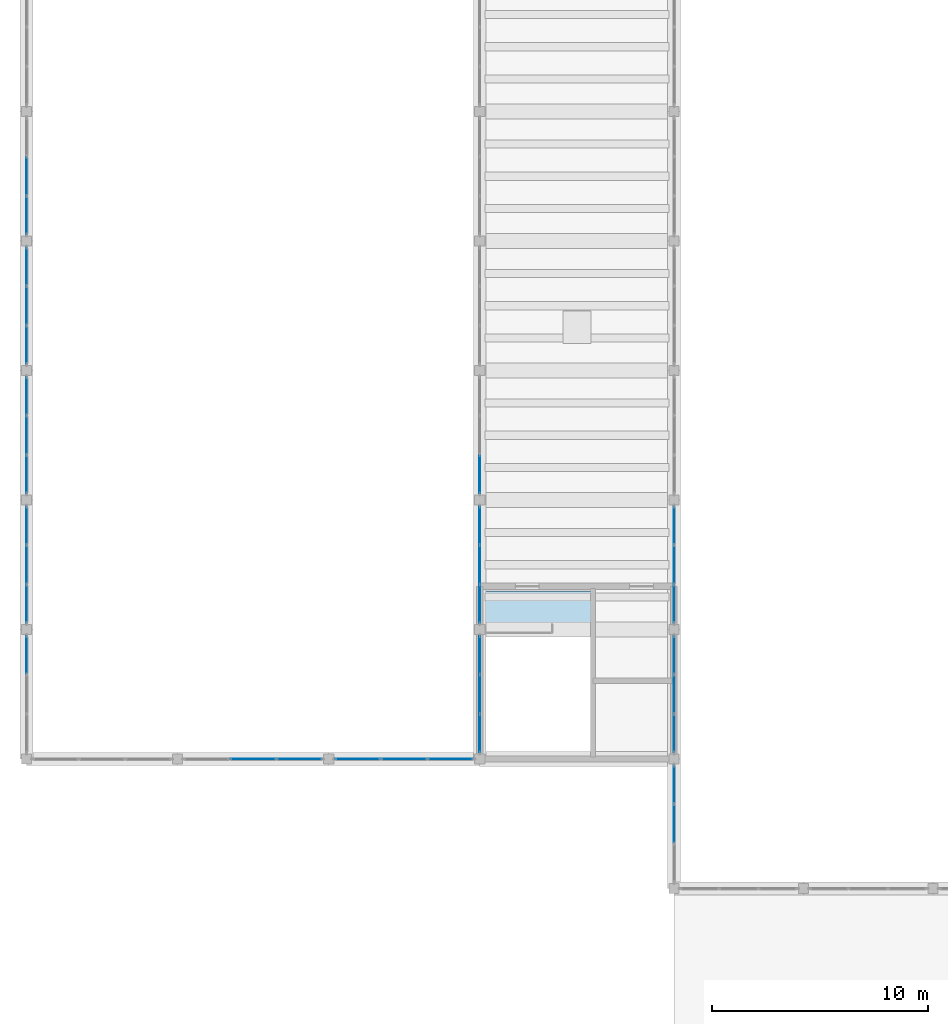
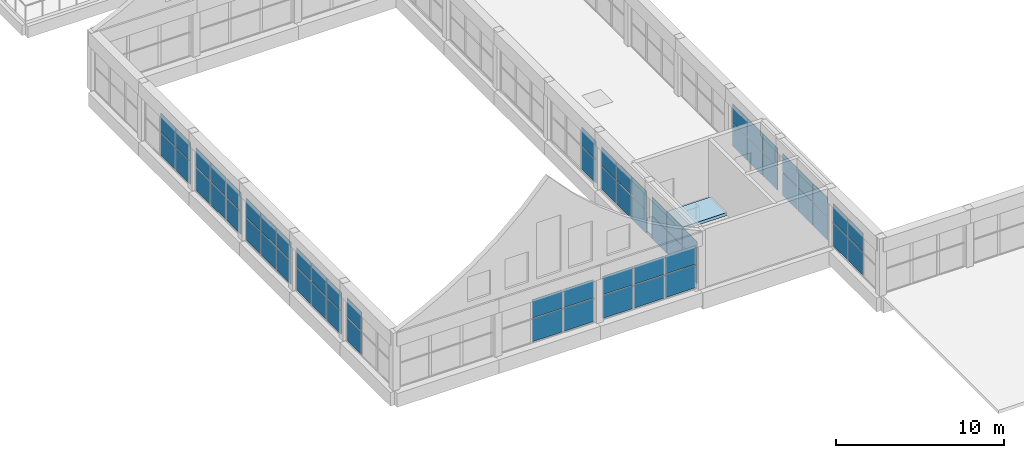
# One storey, part 40 of 70: 64 plates, 1 slab, 13 elements without a shape of their own.
"""IFC4 building model written with IfcOpenShell, lengths in metres."""

import ifcopenshell
import ifcopenshell.guid

model = None  # the IFC model being written
_history = None  # IfcOwnerHistory: only IFC2X3 demands one
_inside = {}  # id of a spatial element -> (the spatial element, [elements in it])
_under = {}  # id of a project, library or spatial element -> (it, [spatial elements below it])
_declared = {}  # id of a project -> (the project, [libraries it declares])
_typed = {}  # id of a type object -> (the type object, [elements of that type])
_made_of = {}  # id of a material, layer set ... -> (it, [elements and type objects made of it])


def new_model(schema):
    """Start an empty IFC model of exactly this schema.

    Asked for "IFC4X3", IfcOpenShell would pick the latest addendum, in which some entities
    have other attributes; the version numbers below select the first issue.
    IFC2X3 requires an IfcOwnerHistory on every rooted entity: one is made here for all.
    """
    global model, _history
    if schema == "IFC4X3":
        model = ifcopenshell.file(schema_version=(4, 3, 0, 0))
    else:
        model = ifcopenshell.file(schema=schema)
    _inside.clear()
    _under.clear()
    _declared.clear()
    _typed.clear()
    _made_of.clear()
    _history = None
    if model.schema == "IFC2X3":
        org = make("IfcOrganization", Name="unknown")
        user = make(
            "IfcPersonAndOrganization",
            ThePerson=make("IfcPerson", FamilyName="unknown"),
            TheOrganization=org,
        )
        app = make(
            "IfcApplication",
            ApplicationDeveloper=org,
            Version="unknown",
            ApplicationFullName="unknown",
            ApplicationIdentifier="unknown",
        )
        _history = make(
            "IfcOwnerHistory",
            OwningUser=user,
            OwningApplication=app,
            ChangeAction="ADDED",
            CreationDate=0,
        )
    return model


def make(cls, **values):
    """One entity of the class cls with the attributes given. An attribute that is None is left unset."""
    return model.create_entity(
        cls, **{name: value for name, value in values.items() if value is not None}
    )


def rooted(cls, **values):
    """An entity with a GlobalId (a new one), such as an element, a storey or a relation."""
    return make(cls, GlobalId=ifcopenshell.guid.new(), OwnerHistory=_history, **values)


def si_unit(unit_type, name, prefix=None):
    """IfcSIUnit, for example si_unit("LENGTHUNIT", "METRE", prefix="MILLI")."""
    return make("IfcSIUnit", UnitType=unit_type, Prefix=prefix, Name=name)


def assignment(units):
    """IfcUnitAssignment: the units of a project."""
    return None if units is None else make("IfcUnitAssignment", Units=units)


def point(xyz):
    """IfcCartesianPoint."""
    return None if xyz is None else make("IfcCartesianPoint", Coordinates=xyz)


def direction(xyz):
    """IfcDirection."""
    return None if xyz is None else make("IfcDirection", DirectionRatios=xyz)


def frame(location, z_axis=None, x_axis=None):
    """IfcAxis2Placement3D, a coordinate frame: its origin and axes. An axis left out is left unset."""
    return make(
        "IfcAxis2Placement3D",
        Location=point(location),
        Axis=direction(z_axis),
        RefDirection=direction(x_axis),
    )


def frame_2d(location, x_axis=None):
    """IfcAxis2Placement2D, a coordinate frame in the plane: its origin and x axis."""
    return make(
        "IfcAxis2Placement2D", Location=point(location), RefDirection=direction(x_axis)
    )


def origin():
    """The frame at (0, 0, 0) with its axes left unset."""
    return frame((0.0, 0.0, 0.0))


def origin_2d():
    """The frame at (0, 0) in the plane with its x axis left unset."""
    return frame_2d((0.0, 0.0))


def place(relative_to, where):
    """IfcLocalPlacement: puts the frame where relative to a parent placement (None: the world)."""
    return make(
        "IfcLocalPlacement", PlacementRelTo=relative_to, RelativePlacement=where
    )


def context(
    kind, dimensions, precision=None, world=None, true_north=None, identifier=None
):
    """IfcGeometricRepresentationContext, for example the 3D "Model" context."""
    return make(
        "IfcGeometricRepresentationContext",
        ContextIdentifier=identifier,
        ContextType=kind,
        CoordinateSpaceDimension=dimensions,
        Precision=precision,
        WorldCoordinateSystem=world,
        TrueNorth=true_north,
    )


def subcontext(parent, identifier, kind, view, scale=None):
    """IfcGeometricRepresentationSubContext, for example "Body" below "Model"."""
    return make(
        "IfcGeometricRepresentationSubContext",
        ContextIdentifier=identifier,
        ContextType=kind,
        ParentContext=parent,
        TargetScale=scale,
        TargetView=view,
    )


def project(units=None, contexts=None):
    """IfcProject with its units and contexts."""
    return rooted(
        "IfcProject",
        Name="project",
        RepresentationContexts=contexts,
        UnitsInContext=assignment(units),
    )


def spatial(cls, under=None, at=None, **own):
    """A site, building, storey or space (cls), placed at a placement, below another one or the project."""
    s = rooted(cls, ObjectPlacement=at, **own)
    if under is not None:
        _under.setdefault(under.id(), (under, []))[1].append(s)
    return s


def polyline(points):
    """IfcPolyline through the points."""
    return make("IfcPolyline", Points=[point(p) for p in points])


def profile(cls, at=None, kind="AREA", **sizes):
    """A parametric profile (cls). Its sizes go by their IFC names, for example OverallWidth=200.0."""
    return make(cls, ProfileType=kind, Position=at, **sizes)


def rectangle(**sizes):
    """IfcRectangleProfileDef."""
    return profile("IfcRectangleProfileDef", **sizes)


def outline(outer, holes=None, kind="AREA"):
    """IfcArbitraryClosedProfileDef: a profile drawn as a closed curve; with holes, ...WithVoids."""
    if holes is None:
        return make("IfcArbitraryClosedProfileDef", ProfileType=kind, OuterCurve=outer)
    return make(
        "IfcArbitraryProfileDefWithVoids",
        ProfileType=kind,
        OuterCurve=outer,
        InnerCurves=holes,
    )


def extrude(swept, where, along, depth):
    """IfcExtrudedAreaSolid: the profile swept, set in the frame where, extruded along a direction by depth."""
    return make(
        "IfcExtrudedAreaSolid",
        SweptArea=swept,
        Position=where,
        ExtrudedDirection=direction(along),
        Depth=depth,
    )


def shape(context_of_items, identifier, shape_type, items):
    """IfcShapeRepresentation: the items that make up one representation, for example the "Body"."""
    return make(
        "IfcShapeRepresentation",
        ContextOfItems=context_of_items,
        RepresentationIdentifier=identifier,
        RepresentationType=shape_type,
        Items=items,
    )


def material(Name=None, Category=None):
    """IfcMaterial."""
    return make("IfcMaterial", Name=Name, Category=Category)


def layer(
    of_material, thickness, ventilated=None, Name=None, Category=None, Priority=None
):
    """IfcMaterialLayer: one layer of a wall or slab, of a material (None: an air gap)."""
    return make(
        "IfcMaterialLayer",
        Material=of_material,
        LayerThickness=thickness,
        IsVentilated=ventilated,
        Name=Name,
        Category=Category,
        Priority=Priority,
    )


def layer_set(layers, Name=None):
    """IfcMaterialLayerSet."""
    return make("IfcMaterialLayerSet", MaterialLayers=layers, LayerSetName=Name)


def made_of(thing, what):
    """Note that an element or type object is made of a material, layer set ...; save() writes the relation."""
    if what is not None:
        _made_of.setdefault(what.id(), (what, []))[1].append(thing)
    return thing


def type_object(cls, material=None, **own):
    """A type object (cls), such as IfcWallType, which elements share."""
    return made_of(rooted(cls, **own), material)


def element(
    cls,
    number,
    at=None,
    inside=None,
    cuts=None,
    type_object=None,
    material=None,
    context=None,
    identifier="Body",
    shape_type=None,
    held_by="IfcProductDefinitionShape",
    body=None,
    shapes=None,
    **own,
):
    """One element of the class cls, such as IfcWall. Its Tag is "e" and its number.

    at: its placement. inside: the storey or other place that contains it. cuts: it is an
    opening in that element (IfcRelVoidsElement). A single representation is given by context,
    identifier, shape_type and body (its items); several are given by shapes. held_by: the class
    of the entity that holds the representations. save() writes the other relations.
    """
    e = rooted(cls, Tag="e%d" % number, ObjectPlacement=at, **own)
    if body is not None:
        shapes = [shape(context, identifier, shape_type, body)]
    if shapes is not None:
        e.Representation = make(held_by, Representations=shapes)
    if inside is not None:
        _inside.setdefault(inside.id(), (inside, []))[1].append(e)
    if cuts is not None:
        rooted(
            "IfcRelVoidsElement", RelatingBuildingElement=cuts, RelatedOpeningElement=e
        )
    if type_object is not None:
        _typed.setdefault(type_object.id(), (type_object, []))[1].append(e)
    return made_of(e, material)


def aggregate(whole, parts):
    """IfcRelAggregates: a whole, such as a stair, and the parts it consists of."""
    return rooted("IfcRelAggregates", RelatingObject=whole, RelatedObjects=parts)


def save(model, path):
    """Write the relations noted so far, then the file.

    IfcRelAggregates (storeys below a building ...), IfcRelContainedInSpatialStructure (elements
    in a storey), IfcRelDefinesByType, IfcRelAssociatesMaterial and IfcRelDeclares: one each for
    every whole, place, type object, material and project.
    """
    for whole, parts in _under.values():
        aggregate(whole, parts)
    for where, things in _inside.values():
        rooted(
            "IfcRelContainedInSpatialStructure",
            RelatedElements=things,
            RelatingStructure=where,
        )
    for kind, things in _typed.values():
        rooted("IfcRelDefinesByType", RelatedObjects=things, RelatingType=kind)
    for what, things in _made_of.values():
        rooted("IfcRelAssociatesMaterial", RelatedObjects=things, RelatingMaterial=what)
    for by, libraries in _declared.values():
        rooted("IfcRelDeclares", RelatingContext=by, RelatedDefinitions=libraries)
    model.write(path)


model = new_model("IFC4")

# Units and contexts
model_context = context("Model", 3, precision=1e-05, world=origin(), true_north=direction((0.0, 1.0)))
body_context = subcontext(model_context, "Body", "Model", "MODEL_VIEW")
ifc_project = project(units=[si_unit("LENGTHUNIT", "METRE"), si_unit("AREAUNIT", "SQUARE_METRE"), si_unit("VOLUMEUNIT", "CUBIC_METRE"), si_unit("PLANEANGLEUNIT", "RADIAN"), si_unit("MASSUNIT", "GRAM", prefix="KILO")], contexts=[model_context])

# Site, building, storey
site_placement = place(None, origin())
site = spatial("IfcSite", under=ifc_project, at=site_placement, CompositionType="ELEMENT")
building_placement = place(site_placement, origin())
building = spatial("IfcBuilding", under=site, at=building_placement, Name="Solvane Community Centre", CompositionType="ELEMENT")
storey_placement = place(building_placement, frame((0.0, 0.0, 9.60009765625)))
storey = spatial("IfcBuildingStorey", under=building, at=storey_placement, Name="L02", CompositionType="ELEMENT", Elevation=9.60009765625)

# Slab
ifc_material_1 = material(Name="Concrete C35/45", Category="concrete")
ifc_layer_1 = layer(ifc_material_1, 0.219970703125)
ifc_layer_set_1 = layer_set([ifc_layer_1], Name="Concrete C35/45")
slab_type = type_object("IfcSlabType", Name="RC Core Floor Landing Slab 220mm", PredefinedType="LANDING", material=ifc_layer_set_1)
slab_placement = place(storey_placement, frame((0.0, 0.0, -0.22021484375)))
element("IfcSlab", 1, at=slab_placement, inside=storey, type_object=slab_type, Name="Stair Entry Landing SLB-FL-STR-C5-L01-TOP", PredefinedType="LANDING", context=body_context, shape_type="SweptSolid", body=[
    extrude(outline(polyline([(32.2900390625, 47.89990234375), (27.205078125, 47.89990234375), (27.205078125, 49.794921875), (32.2900390625, 49.794921875), (32.2900390625, 47.89990234375)])), origin(), (0.0, 0.0, 1.0), 0.22021484375),
])

# Curtain wall, plates
ifc_material_2 = material(Name="Anodised bronze aluminium AW-6063 T6", Category="aluminium")
ifc_layer_2 = layer(ifc_material_2, 0.179931640625)
ifc_layer_set_2 = layer_set([ifc_layer_2], Name="Anodised bronze aluminium AW-6063 T6")
curtain_wall_type_1 = type_object("IfcCurtainWallType", Name="Hall Translucent Upper Curtain Wall [55x32dm]", PredefinedType="NOTDEFINED", material=ifc_layer_set_2)
curtain_wall_1_placement = place(storey_placement, origin())
curtain_wall_1 = element("IfcCurtainWall", 2, at=curtain_wall_1_placement, inside=storey, type_object=curtain_wall_type_1, Name="Curtain Wall CW-L02-360_537-126", PredefinedType="NOTDEFINED")
ifc_material_3 = material(Name="Translucent polycarbonate panel")
ifc_layer_3 = layer(ifc_material_3, 0.028076171875)
ifc_layer_set_3 = layer_set([ifc_layer_3], Name="Translucent polycarbonate panel")
plate_type_1 = type_object("IfcPlateType", Name="Translucent Polycarbonate Panel 28mm [55x32dm]", PredefinedType="CURTAIN_PANEL", material=ifc_layer_set_3)
plate_1_placement = place(storey_placement, frame((36.0, 52.81494140625, 0.059814453125), z_axis=(0.0, 0.0, 1.0), x_axis=(0.0, -1.0, 0.0)))
plate_1 = element("IfcPlate", 3, at=plate_1_placement, type_object=plate_type_1, Name="CW01-55x32 panel 1.1", PredefinedType="CURTAIN_PANEL", context=body_context, shape_type="SweptSolid", body=[
    extrude(rectangle(XDim=1.739990234375, YDim=0.028076171875, at=origin_2d()), origin(), (0.0, 0.0, 1.0), 1.662109375),
])
plate_2_placement = place(storey_placement, frame((36.0, 52.81494140625, 1.78173828125), z_axis=(0.0, 0.0, 1.0), x_axis=(0.0, -1.0, 0.0)))
plate_2 = element("IfcPlate", 4, at=plate_2_placement, type_object=plate_type_1, Name="CW01-55x32 panel 1.2", PredefinedType="CURTAIN_PANEL", context=body_context, shape_type="SweptSolid", body=[
    extrude(rectangle(XDim=1.739990234375, YDim=0.028076171875, at=origin_2d()), origin(), (0.0, 0.0, 1.0), 1.343017578125),
])
plate_3_placement = place(storey_placement, frame((36.0, 51.0, 0.059814453125), z_axis=(0.0, 0.0, 1.0), x_axis=(0.0, -1.0, 0.0)))
plate_3 = element("IfcPlate", 5, at=plate_3_placement, type_object=plate_type_1, Name="CW01-55x32 panel 2.1", PredefinedType="CURTAIN_PANEL", context=body_context, shape_type="SweptSolid", body=[
    extrude(rectangle(XDim=1.77001953125, YDim=0.028076171875, at=origin_2d()), origin(), (0.0, 0.0, 1.0), 1.662109375),
])
plate_4_placement = place(storey_placement, frame((36.0, 51.0, 1.78173828125), z_axis=(0.0, 0.0, 1.0), x_axis=(0.0, -1.0, 0.0)))
plate_4 = element("IfcPlate", 6, at=plate_4_placement, type_object=plate_type_1, Name="CW01-55x32 panel 2.2", PredefinedType="CURTAIN_PANEL", context=body_context, shape_type="SweptSolid", body=[
    extrude(rectangle(XDim=1.77001953125, YDim=0.028076171875, at=origin_2d()), origin(), (0.0, 0.0, 1.0), 1.343017578125),
])
plate_5_placement = place(storey_placement, frame((36.0, 49.18505859375, 0.059814453125), z_axis=(0.0, 0.0, 1.0), x_axis=(0.0, -1.0, 0.0)))
plate_5 = element("IfcPlate", 7, at=plate_5_placement, type_object=plate_type_1, Name="CW01-55x32 panel 3.1", PredefinedType="CURTAIN_PANEL", context=body_context, shape_type="SweptSolid", body=[
    extrude(rectangle(XDim=1.739990234375, YDim=0.028076171875, at=origin_2d()), origin(), (0.0, 0.0, 1.0), 1.662109375),
])
plate_6_placement = place(storey_placement, frame((36.0, 49.18505859375, 1.78173828125), z_axis=(0.0, 0.0, 1.0), x_axis=(0.0, -1.0, 0.0)))
plate_6 = element("IfcPlate", 8, at=plate_6_placement, type_object=plate_type_1, Name="CW01-55x32 panel 3.2", PredefinedType="CURTAIN_PANEL", context=body_context, shape_type="SweptSolid", body=[
    extrude(rectangle(XDim=1.739990234375, YDim=0.028076171875, at=origin_2d()), origin(), (0.0, 0.0, 1.0), 1.343017578125),
])
aggregate(curtain_wall_1, [plate_1, plate_2, plate_3, plate_4, plate_5, plate_6])

curtain_wall_2_placement = place(storey_placement, origin())
curtain_wall_2 = element("IfcCurtainWall", 9, at=curtain_wall_2_placement, inside=storey, type_object=curtain_wall_type_1, Name="Curtain Wall CW-L02-360_477-127", PredefinedType="NOTDEFINED")
plate_7_placement = place(storey_placement, frame((36.0, 46.81494140625, 0.059814453125), z_axis=(0.0, 0.0, 1.0), x_axis=(0.0, -1.0, 0.0)))
plate_7 = element("IfcPlate", 10, at=plate_7_placement, type_object=plate_type_1, Name="CW01-55x32 panel 1.1", PredefinedType="CURTAIN_PANEL", context=body_context, shape_type="SweptSolid", body=[
    extrude(rectangle(XDim=1.739990234375, YDim=0.028076171875, at=origin_2d()), origin(), (0.0, 0.0, 1.0), 1.662109375),
])
plate_8_placement = place(storey_placement, frame((36.0, 46.81494140625, 1.78173828125), z_axis=(0.0, 0.0, 1.0), x_axis=(0.0, -1.0, 0.0)))
plate_8 = element("IfcPlate", 11, at=plate_8_placement, type_object=plate_type_1, Name="CW01-55x32 panel 1.2", PredefinedType="CURTAIN_PANEL", context=body_context, shape_type="SweptSolid", body=[
    extrude(rectangle(XDim=1.739990234375, YDim=0.028076171875, at=origin_2d()), origin(), (0.0, 0.0, 1.0), 1.343017578125),
])
plate_9_placement = place(storey_placement, frame((36.0, 45.0, 0.059814453125), z_axis=(0.0, 0.0, 1.0), x_axis=(0.0, -1.0, 0.0)))
plate_9 = element("IfcPlate", 12, at=plate_9_placement, type_object=plate_type_1, Name="CW01-55x32 panel 2.1", PredefinedType="CURTAIN_PANEL", context=body_context, shape_type="SweptSolid", body=[
    extrude(rectangle(XDim=1.77001953125, YDim=0.028076171875, at=origin_2d()), origin(), (0.0, 0.0, 1.0), 1.662109375),
])
plate_10_placement = place(storey_placement, frame((36.0, 45.0, 1.78173828125), z_axis=(0.0, 0.0, 1.0), x_axis=(0.0, -1.0, 0.0)))
plate_10 = element("IfcPlate", 13, at=plate_10_placement, type_object=plate_type_1, Name="CW01-55x32 panel 2.2", PredefinedType="CURTAIN_PANEL", context=body_context, shape_type="SweptSolid", body=[
    extrude(rectangle(XDim=1.77001953125, YDim=0.028076171875, at=origin_2d()), origin(), (0.0, 0.0, 1.0), 1.343017578125),
])
plate_11_placement = place(storey_placement, frame((36.0, 43.18505859375, 0.059814453125), z_axis=(0.0, 0.0, 1.0), x_axis=(0.0, -1.0, 0.0)))
plate_11 = element("IfcPlate", 14, at=plate_11_placement, type_object=plate_type_1, Name="CW01-55x32 panel 3.1", PredefinedType="CURTAIN_PANEL", context=body_context, shape_type="SweptSolid", body=[
    extrude(rectangle(XDim=1.739990234375, YDim=0.028076171875, at=origin_2d()), origin(), (0.0, 0.0, 1.0), 1.662109375),
])
plate_12_placement = place(storey_placement, frame((36.0, 43.18505859375, 1.78173828125), z_axis=(0.0, 0.0, 1.0), x_axis=(0.0, -1.0, 0.0)))
plate_12 = element("IfcPlate", 15, at=plate_12_placement, type_object=plate_type_1, Name="CW01-55x32 panel 3.2", PredefinedType="CURTAIN_PANEL", context=body_context, shape_type="SweptSolid", body=[
    extrude(rectangle(XDim=1.739990234375, YDim=0.028076171875, at=origin_2d()), origin(), (0.0, 0.0, 1.0), 1.343017578125),
])
aggregate(curtain_wall_2, [plate_7, plate_8, plate_9, plate_10, plate_11, plate_12])

curtain_wall_3_placement = place(storey_placement, origin())
curtain_wall_3 = element("IfcCurtainWall", 16, at=curtain_wall_3_placement, inside=storey, type_object=curtain_wall_type_1, Name="Curtain Wall CW-L02-360_417-128", PredefinedType="NOTDEFINED")
plate_13_placement = place(storey_placement, frame((36.0, 40.81494140625, 0.059814453125), z_axis=(0.0, 0.0, 1.0), x_axis=(0.0, -1.0, 0.0)))
plate_13 = element("IfcPlate", 17, at=plate_13_placement, type_object=plate_type_1, Name="CW01-55x32 panel 1.1", PredefinedType="CURTAIN_PANEL", context=body_context, shape_type="SweptSolid", body=[
    extrude(rectangle(XDim=1.739990234375, YDim=0.028076171875, at=origin_2d()), origin(), (0.0, 0.0, 1.0), 1.662109375),
])
plate_14_placement = place(storey_placement, frame((36.0, 40.81494140625, 1.78173828125), z_axis=(0.0, 0.0, 1.0), x_axis=(0.0, -1.0, 0.0)))
plate_14 = element("IfcPlate", 18, at=plate_14_placement, type_object=plate_type_1, Name="CW01-55x32 panel 1.2", PredefinedType="CURTAIN_PANEL", context=body_context, shape_type="SweptSolid", body=[
    extrude(rectangle(XDim=1.739990234375, YDim=0.028076171875, at=origin_2d()), origin(), (0.0, 0.0, 1.0), 1.343017578125),
])
plate_15_placement = place(storey_placement, frame((36.0, 39.0, 0.059814453125), z_axis=(0.0, 0.0, 1.0), x_axis=(0.0, -1.0, 0.0)))
plate_15 = element("IfcPlate", 19, at=plate_15_placement, type_object=plate_type_1, Name="CW01-55x32 panel 2.1", PredefinedType="CURTAIN_PANEL", context=body_context, shape_type="SweptSolid", body=[
    extrude(rectangle(XDim=1.77001953125, YDim=0.028076171875, at=origin_2d()), origin(), (0.0, 0.0, 1.0), 1.662109375),
])
plate_16_placement = place(storey_placement, frame((36.0, 39.0, 1.78173828125), z_axis=(0.0, 0.0, 1.0), x_axis=(0.0, -1.0, 0.0)))
plate_16 = element("IfcPlate", 20, at=plate_16_placement, type_object=plate_type_1, Name="CW01-55x32 panel 2.2", PredefinedType="CURTAIN_PANEL", context=body_context, shape_type="SweptSolid", body=[
    extrude(rectangle(XDim=1.77001953125, YDim=0.028076171875, at=origin_2d()), origin(), (0.0, 0.0, 1.0), 1.343017578125),
])
aggregate(curtain_wall_3, [plate_13, plate_14, plate_15, plate_16])

curtain_wall_4_placement = place(storey_placement, origin())
curtain_wall_4 = element("IfcCurtainWall", 21, at=curtain_wall_4_placement, inside=storey, type_object=curtain_wall_type_1, Name="Curtain Wall CW-L02-60_717-167", PredefinedType="NOTDEFINED")
plate_17_placement = place(storey_placement, frame((6.0, 69.0, 0.059814453125), z_axis=(0.0, 0.0, 1.0), x_axis=(0.0, -1.0, 0.0)))
plate_17 = element("IfcPlate", 22, at=plate_17_placement, type_object=plate_type_1, Name="CW01-55x32 panel 2.1", PredefinedType="CURTAIN_PANEL", context=body_context, shape_type="SweptSolid", body=[
    extrude(rectangle(XDim=1.77001953125, YDim=0.028076171875, at=origin_2d()), origin(), (0.0, 0.0, 1.0), 1.662109375),
])
plate_18_placement = place(storey_placement, frame((6.0, 69.0, 1.78173828125), z_axis=(0.0, 0.0, 1.0), x_axis=(0.0, -1.0, 0.0)))
plate_18 = element("IfcPlate", 23, at=plate_18_placement, type_object=plate_type_1, Name="CW01-55x32 panel 2.2", PredefinedType="CURTAIN_PANEL", context=body_context, shape_type="SweptSolid", body=[
    extrude(rectangle(XDim=1.77001953125, YDim=0.028076171875, at=origin_2d()), origin(), (0.0, 0.0, 1.0), 1.343017578125),
])
plate_19_placement = place(storey_placement, frame((6.0, 67.18505859375, 0.059814453125), z_axis=(0.0, 0.0, 1.0), x_axis=(0.0, -1.0, 0.0)))
plate_19 = element("IfcPlate", 24, at=plate_19_placement, type_object=plate_type_1, Name="CW01-55x32 panel 3.1", PredefinedType="CURTAIN_PANEL", context=body_context, shape_type="SweptSolid", body=[
    extrude(rectangle(XDim=1.739990234375, YDim=0.028076171875, at=origin_2d()), origin(), (0.0, 0.0, 1.0), 1.662109375),
])
plate_20_placement = place(storey_placement, frame((6.0, 67.18505859375, 1.78173828125), z_axis=(0.0, 0.0, 1.0), x_axis=(0.0, -1.0, 0.0)))
plate_20 = element("IfcPlate", 25, at=plate_20_placement, type_object=plate_type_1, Name="CW01-55x32 panel 3.2", PredefinedType="CURTAIN_PANEL", context=body_context, shape_type="SweptSolid", body=[
    extrude(rectangle(XDim=1.739990234375, YDim=0.028076171875, at=origin_2d()), origin(), (0.0, 0.0, 1.0), 1.343017578125),
])
aggregate(curtain_wall_4, [plate_17, plate_18, plate_19, plate_20])

curtain_wall_5_placement = place(storey_placement, origin())
curtain_wall_5 = element("IfcCurtainWall", 26, at=curtain_wall_5_placement, inside=storey, type_object=curtain_wall_type_1, Name="Curtain Wall CW-L02-60_657-168", PredefinedType="NOTDEFINED")
plate_21_placement = place(storey_placement, frame((6.0, 64.81494140625, 0.059814453125), z_axis=(0.0, 0.0, 1.0), x_axis=(0.0, -1.0, 0.0)))
plate_21 = element("IfcPlate", 27, at=plate_21_placement, type_object=plate_type_1, Name="CW01-55x32 panel 1.1", PredefinedType="CURTAIN_PANEL", context=body_context, shape_type="SweptSolid", body=[
    extrude(rectangle(XDim=1.739990234375, YDim=0.028076171875, at=origin_2d()), origin(), (0.0, 0.0, 1.0), 1.662109375),
])
plate_22_placement = place(storey_placement, frame((6.0, 64.81494140625, 1.78173828125), z_axis=(0.0, 0.0, 1.0), x_axis=(0.0, -1.0, 0.0)))
plate_22 = element("IfcPlate", 28, at=plate_22_placement, type_object=plate_type_1, Name="CW01-55x32 panel 1.2", PredefinedType="CURTAIN_PANEL", context=body_context, shape_type="SweptSolid", body=[
    extrude(rectangle(XDim=1.739990234375, YDim=0.028076171875, at=origin_2d()), origin(), (0.0, 0.0, 1.0), 1.343017578125),
])
plate_23_placement = place(storey_placement, frame((6.0, 63.0, 0.059814453125), z_axis=(0.0, 0.0, 1.0), x_axis=(0.0, -1.0, 0.0)))
plate_23 = element("IfcPlate", 29, at=plate_23_placement, type_object=plate_type_1, Name="CW01-55x32 panel 2.1", PredefinedType="CURTAIN_PANEL", context=body_context, shape_type="SweptSolid", body=[
    extrude(rectangle(XDim=1.77001953125, YDim=0.028076171875, at=origin_2d()), origin(), (0.0, 0.0, 1.0), 1.662109375),
])
plate_24_placement = place(storey_placement, frame((6.0, 63.0, 1.78173828125), z_axis=(0.0, 0.0, 1.0), x_axis=(0.0, -1.0, 0.0)))
plate_24 = element("IfcPlate", 30, at=plate_24_placement, type_object=plate_type_1, Name="CW01-55x32 panel 2.2", PredefinedType="CURTAIN_PANEL", context=body_context, shape_type="SweptSolid", body=[
    extrude(rectangle(XDim=1.77001953125, YDim=0.028076171875, at=origin_2d()), origin(), (0.0, 0.0, 1.0), 1.343017578125),
])
plate_25_placement = place(storey_placement, frame((6.0, 61.18505859375, 0.059814453125), z_axis=(0.0, 0.0, 1.0), x_axis=(0.0, -1.0, 0.0)))
plate_25 = element("IfcPlate", 31, at=plate_25_placement, type_object=plate_type_1, Name="CW01-55x32 panel 3.1", PredefinedType="CURTAIN_PANEL", context=body_context, shape_type="SweptSolid", body=[
    extrude(rectangle(XDim=1.739990234375, YDim=0.028076171875, at=origin_2d()), origin(), (0.0, 0.0, 1.0), 1.662109375),
])
plate_26_placement = place(storey_placement, frame((6.0, 61.18505859375, 1.78173828125), z_axis=(0.0, 0.0, 1.0), x_axis=(0.0, -1.0, 0.0)))
plate_26 = element("IfcPlate", 32, at=plate_26_placement, type_object=plate_type_1, Name="CW01-55x32 panel 3.2", PredefinedType="CURTAIN_PANEL", context=body_context, shape_type="SweptSolid", body=[
    extrude(rectangle(XDim=1.739990234375, YDim=0.028076171875, at=origin_2d()), origin(), (0.0, 0.0, 1.0), 1.343017578125),
])
aggregate(curtain_wall_5, [plate_21, plate_22, plate_23, plate_24, plate_25, plate_26])

curtain_wall_6_placement = place(storey_placement, origin())
curtain_wall_6 = element("IfcCurtainWall", 33, at=curtain_wall_6_placement, inside=storey, type_object=curtain_wall_type_1, Name="Curtain Wall CW-L02-60_597-169", PredefinedType="NOTDEFINED")
plate_27_placement = place(storey_placement, frame((6.0, 58.81494140625, 0.059814453125), z_axis=(0.0, 0.0, 1.0), x_axis=(0.0, -1.0, 0.0)))
plate_27 = element("IfcPlate", 34, at=plate_27_placement, type_object=plate_type_1, Name="CW01-55x32 panel 1.1", PredefinedType="CURTAIN_PANEL", context=body_context, shape_type="SweptSolid", body=[
    extrude(rectangle(XDim=1.739990234375, YDim=0.028076171875, at=origin_2d()), origin(), (0.0, 0.0, 1.0), 1.662109375),
])
plate_28_placement = place(storey_placement, frame((6.0, 58.81494140625, 1.78173828125), z_axis=(0.0, 0.0, 1.0), x_axis=(0.0, -1.0, 0.0)))
plate_28 = element("IfcPlate", 35, at=plate_28_placement, type_object=plate_type_1, Name="CW01-55x32 panel 1.2", PredefinedType="CURTAIN_PANEL", context=body_context, shape_type="SweptSolid", body=[
    extrude(rectangle(XDim=1.739990234375, YDim=0.028076171875, at=origin_2d()), origin(), (0.0, 0.0, 1.0), 1.343017578125),
])
plate_29_placement = place(storey_placement, frame((6.0, 57.0, 0.059814453125), z_axis=(0.0, 0.0, 1.0), x_axis=(0.0, -1.0, 0.0)))
plate_29 = element("IfcPlate", 36, at=plate_29_placement, type_object=plate_type_1, Name="CW01-55x32 panel 2.1", PredefinedType="CURTAIN_PANEL", context=body_context, shape_type="SweptSolid", body=[
    extrude(rectangle(XDim=1.77001953125, YDim=0.028076171875, at=origin_2d()), origin(), (0.0, 0.0, 1.0), 1.662109375),
])
plate_30_placement = place(storey_placement, frame((6.0, 57.0, 1.78173828125), z_axis=(0.0, 0.0, 1.0), x_axis=(0.0, -1.0, 0.0)))
plate_30 = element("IfcPlate", 37, at=plate_30_placement, type_object=plate_type_1, Name="CW01-55x32 panel 2.2", PredefinedType="CURTAIN_PANEL", context=body_context, shape_type="SweptSolid", body=[
    extrude(rectangle(XDim=1.77001953125, YDim=0.028076171875, at=origin_2d()), origin(), (0.0, 0.0, 1.0), 1.343017578125),
])
plate_31_placement = place(storey_placement, frame((6.0, 55.18505859375, 0.059814453125), z_axis=(0.0, 0.0, 1.0), x_axis=(0.0, -1.0, 0.0)))
plate_31 = element("IfcPlate", 38, at=plate_31_placement, type_object=plate_type_1, Name="CW01-55x32 panel 3.1", PredefinedType="CURTAIN_PANEL", context=body_context, shape_type="SweptSolid", body=[
    extrude(rectangle(XDim=1.739990234375, YDim=0.028076171875, at=origin_2d()), origin(), (0.0, 0.0, 1.0), 1.662109375),
])
plate_32_placement = place(storey_placement, frame((6.0, 55.18505859375, 1.78173828125), z_axis=(0.0, 0.0, 1.0), x_axis=(0.0, -1.0, 0.0)))
plate_32 = element("IfcPlate", 39, at=plate_32_placement, type_object=plate_type_1, Name="CW01-55x32 panel 3.2", PredefinedType="CURTAIN_PANEL", context=body_context, shape_type="SweptSolid", body=[
    extrude(rectangle(XDim=1.739990234375, YDim=0.028076171875, at=origin_2d()), origin(), (0.0, 0.0, 1.0), 1.343017578125),
])
aggregate(curtain_wall_6, [plate_27, plate_28, plate_29, plate_30, plate_31, plate_32])

curtain_wall_7_placement = place(storey_placement, origin())
curtain_wall_7 = element("IfcCurtainWall", 40, at=curtain_wall_7_placement, inside=storey, type_object=curtain_wall_type_1, Name="Curtain Wall CW-L02-60_537-170", PredefinedType="NOTDEFINED")
plate_33_placement = place(storey_placement, frame((6.0, 52.81494140625, 0.059814453125), z_axis=(0.0, 0.0, 1.0), x_axis=(0.0, -1.0, 0.0)))
plate_33 = element("IfcPlate", 41, at=plate_33_placement, type_object=plate_type_1, Name="CW01-55x32 panel 1.1", PredefinedType="CURTAIN_PANEL", context=body_context, shape_type="SweptSolid", body=[
    extrude(rectangle(XDim=1.739990234375, YDim=0.028076171875, at=origin_2d()), origin(), (0.0, 0.0, 1.0), 1.662109375),
])
plate_34_placement = place(storey_placement, frame((6.0, 52.81494140625, 1.78173828125), z_axis=(0.0, 0.0, 1.0), x_axis=(0.0, -1.0, 0.0)))
plate_34 = element("IfcPlate", 42, at=plate_34_placement, type_object=plate_type_1, Name="CW01-55x32 panel 1.2", PredefinedType="CURTAIN_PANEL", context=body_context, shape_type="SweptSolid", body=[
    extrude(rectangle(XDim=1.739990234375, YDim=0.028076171875, at=origin_2d()), origin(), (0.0, 0.0, 1.0), 1.343017578125),
])
plate_35_placement = place(storey_placement, frame((6.0, 51.0, 0.059814453125), z_axis=(0.0, 0.0, 1.0), x_axis=(0.0, -1.0, 0.0)))
plate_35 = element("IfcPlate", 43, at=plate_35_placement, type_object=plate_type_1, Name="CW01-55x32 panel 2.1", PredefinedType="CURTAIN_PANEL", context=body_context, shape_type="SweptSolid", body=[
    extrude(rectangle(XDim=1.77001953125, YDim=0.028076171875, at=origin_2d()), origin(), (0.0, 0.0, 1.0), 1.662109375),
])
plate_36_placement = place(storey_placement, frame((6.0, 51.0, 1.78173828125), z_axis=(0.0, 0.0, 1.0), x_axis=(0.0, -1.0, 0.0)))
plate_36 = element("IfcPlate", 44, at=plate_36_placement, type_object=plate_type_1, Name="CW01-55x32 panel 2.2", PredefinedType="CURTAIN_PANEL", context=body_context, shape_type="SweptSolid", body=[
    extrude(rectangle(XDim=1.77001953125, YDim=0.028076171875, at=origin_2d()), origin(), (0.0, 0.0, 1.0), 1.343017578125),
])
plate_37_placement = place(storey_placement, frame((6.0, 49.18505859375, 0.059814453125), z_axis=(0.0, 0.0, 1.0), x_axis=(0.0, -1.0, 0.0)))
plate_37 = element("IfcPlate", 45, at=plate_37_placement, type_object=plate_type_1, Name="CW01-55x32 panel 3.1", PredefinedType="CURTAIN_PANEL", context=body_context, shape_type="SweptSolid", body=[
    extrude(rectangle(XDim=1.739990234375, YDim=0.028076171875, at=origin_2d()), origin(), (0.0, 0.0, 1.0), 1.662109375),
])
plate_38_placement = place(storey_placement, frame((6.0, 49.18505859375, 1.78173828125), z_axis=(0.0, 0.0, 1.0), x_axis=(0.0, -1.0, 0.0)))
plate_38 = element("IfcPlate", 46, at=plate_38_placement, type_object=plate_type_1, Name="CW01-55x32 panel 3.2", PredefinedType="CURTAIN_PANEL", context=body_context, shape_type="SweptSolid", body=[
    extrude(rectangle(XDim=1.739990234375, YDim=0.028076171875, at=origin_2d()), origin(), (0.0, 0.0, 1.0), 1.343017578125),
])
aggregate(curtain_wall_7, [plate_33, plate_34, plate_35, plate_36, plate_37, plate_38])

curtain_wall_8_placement = place(storey_placement, origin())
curtain_wall_8 = element("IfcCurtainWall", 47, at=curtain_wall_8_placement, inside=storey, type_object=curtain_wall_type_1, Name="Curtain Wall CW-L02-60_477-171", PredefinedType="NOTDEFINED")
plate_39_placement = place(storey_placement, frame((6.0, 46.81494140625, 0.059814453125), z_axis=(0.0, 0.0, 1.0), x_axis=(0.0, -1.0, 0.0)))
plate_39 = element("IfcPlate", 48, at=plate_39_placement, type_object=plate_type_1, Name="CW01-55x32 panel 1.1", PredefinedType="CURTAIN_PANEL", context=body_context, shape_type="SweptSolid", body=[
    extrude(rectangle(XDim=1.739990234375, YDim=0.028076171875, at=origin_2d()), origin(), (0.0, 0.0, 1.0), 1.662109375),
])
plate_40_placement = place(storey_placement, frame((6.0, 46.81494140625, 1.78173828125), z_axis=(0.0, 0.0, 1.0), x_axis=(0.0, -1.0, 0.0)))
plate_40 = element("IfcPlate", 49, at=plate_40_placement, type_object=plate_type_1, Name="CW01-55x32 panel 1.2", PredefinedType="CURTAIN_PANEL", context=body_context, shape_type="SweptSolid", body=[
    extrude(rectangle(XDim=1.739990234375, YDim=0.028076171875, at=origin_2d()), origin(), (0.0, 0.0, 1.0), 1.343017578125),
])
aggregate(curtain_wall_8, [plate_39, plate_40])

curtain_wall_9_placement = place(storey_placement, origin())
curtain_wall_9 = element("IfcCurtainWall", 50, at=curtain_wall_9_placement, inside=storey, type_object=curtain_wall_type_1, Name="Curtain Wall CW-L02-270_423-172", PredefinedType="NOTDEFINED")
plate_41_placement = place(storey_placement, frame((27.0, 43.18505859375, 0.059814453125), z_axis=(0.0, 0.0, 1.0), x_axis=(0.0, 1.0, 0.0)))
plate_41 = element("IfcPlate", 51, at=plate_41_placement, type_object=plate_type_1, Name="CW01-55x32 panel 1.1", PredefinedType="CURTAIN_PANEL", context=body_context, shape_type="SweptSolid", body=[
    extrude(rectangle(XDim=1.739990234375, YDim=0.028076171875, at=origin_2d()), origin(), (0.0, 0.0, 1.0), 1.662109375),
])
plate_42_placement = place(storey_placement, frame((27.0, 43.18505859375, 1.78173828125), z_axis=(0.0, 0.0, 1.0), x_axis=(0.0, 1.0, 0.0)))
plate_42 = element("IfcPlate", 52, at=plate_42_placement, type_object=plate_type_1, Name="CW01-55x32 panel 1.2", PredefinedType="CURTAIN_PANEL", context=body_context, shape_type="SweptSolid", body=[
    extrude(rectangle(XDim=1.739990234375, YDim=0.028076171875, at=origin_2d()), origin(), (0.0, 0.0, 1.0), 1.343017578125),
])
plate_43_placement = place(storey_placement, frame((27.0, 45.0, 0.059814453125), z_axis=(0.0, 0.0, 1.0), x_axis=(0.0, 1.0, 0.0)))
plate_43 = element("IfcPlate", 53, at=plate_43_placement, type_object=plate_type_1, Name="CW01-55x32 panel 2.1", PredefinedType="CURTAIN_PANEL", context=body_context, shape_type="SweptSolid", body=[
    extrude(rectangle(XDim=1.77001953125, YDim=0.028076171875, at=origin_2d()), origin(), (0.0, 0.0, 1.0), 1.662109375),
])
plate_44_placement = place(storey_placement, frame((27.0, 45.0, 1.78173828125), z_axis=(0.0, 0.0, 1.0), x_axis=(0.0, 1.0, 0.0)))
plate_44 = element("IfcPlate", 54, at=plate_44_placement, type_object=plate_type_1, Name="CW01-55x32 panel 2.2", PredefinedType="CURTAIN_PANEL", context=body_context, shape_type="SweptSolid", body=[
    extrude(rectangle(XDim=1.77001953125, YDim=0.028076171875, at=origin_2d()), origin(), (0.0, 0.0, 1.0), 1.343017578125),
])
plate_45_placement = place(storey_placement, frame((27.0, 46.81494140625, 0.059814453125), z_axis=(0.0, 0.0, 1.0), x_axis=(0.0, 1.0, 0.0)))
plate_45 = element("IfcPlate", 55, at=plate_45_placement, type_object=plate_type_1, Name="CW01-55x32 panel 3.1", PredefinedType="CURTAIN_PANEL", context=body_context, shape_type="SweptSolid", body=[
    extrude(rectangle(XDim=1.739990234375, YDim=0.028076171875, at=origin_2d()), origin(), (0.0, 0.0, 1.0), 1.662109375),
])
plate_46_placement = place(storey_placement, frame((27.0, 46.81494140625, 1.78173828125), z_axis=(0.0, 0.0, 1.0), x_axis=(0.0, 1.0, 0.0)))
plate_46 = element("IfcPlate", 56, at=plate_46_placement, type_object=plate_type_1, Name="CW01-55x32 panel 3.2", PredefinedType="CURTAIN_PANEL", context=body_context, shape_type="SweptSolid", body=[
    extrude(rectangle(XDim=1.739990234375, YDim=0.028076171875, at=origin_2d()), origin(), (0.0, 0.0, 1.0), 1.343017578125),
])
aggregate(curtain_wall_9, [plate_41, plate_42, plate_43, plate_44, plate_45, plate_46])

curtain_wall_10_placement = place(storey_placement, origin())
curtain_wall_10 = element("IfcCurtainWall", 57, at=curtain_wall_10_placement, inside=storey, type_object=curtain_wall_type_1, Name="Curtain Wall CW-L02-270_483-173", PredefinedType="NOTDEFINED")
plate_47_placement = place(storey_placement, frame((27.0, 49.18505859375, 0.059814453125), z_axis=(0.0, 0.0, 1.0), x_axis=(0.0, 1.0, 0.0)))
plate_47 = element("IfcPlate", 58, at=plate_47_placement, type_object=plate_type_1, Name="CW01-55x32 panel 1.1", PredefinedType="CURTAIN_PANEL", context=body_context, shape_type="SweptSolid", body=[
    extrude(rectangle(XDim=1.739990234375, YDim=0.028076171875, at=origin_2d()), origin(), (0.0, 0.0, 1.0), 1.662109375),
])
plate_48_placement = place(storey_placement, frame((27.0, 49.18505859375, 1.78173828125), z_axis=(0.0, 0.0, 1.0), x_axis=(0.0, 1.0, 0.0)))
plate_48 = element("IfcPlate", 59, at=plate_48_placement, type_object=plate_type_1, Name="CW01-55x32 panel 1.2", PredefinedType="CURTAIN_PANEL", context=body_context, shape_type="SweptSolid", body=[
    extrude(rectangle(XDim=1.739990234375, YDim=0.028076171875, at=origin_2d()), origin(), (0.0, 0.0, 1.0), 1.343017578125),
])
plate_49_placement = place(storey_placement, frame((27.0, 51.0, 0.059814453125), z_axis=(0.0, 0.0, 1.0), x_axis=(0.0, 1.0, 0.0)))
plate_49 = element("IfcPlate", 60, at=plate_49_placement, type_object=plate_type_1, Name="CW01-55x32 panel 2.1", PredefinedType="CURTAIN_PANEL", context=body_context, shape_type="SweptSolid", body=[
    extrude(rectangle(XDim=1.77001953125, YDim=0.028076171875, at=origin_2d()), origin(), (0.0, 0.0, 1.0), 1.662109375),
])
plate_50_placement = place(storey_placement, frame((27.0, 51.0, 1.78173828125), z_axis=(0.0, 0.0, 1.0), x_axis=(0.0, 1.0, 0.0)))
plate_50 = element("IfcPlate", 61, at=plate_50_placement, type_object=plate_type_1, Name="CW01-55x32 panel 2.2", PredefinedType="CURTAIN_PANEL", context=body_context, shape_type="SweptSolid", body=[
    extrude(rectangle(XDim=1.77001953125, YDim=0.028076171875, at=origin_2d()), origin(), (0.0, 0.0, 1.0), 1.343017578125),
])
plate_51_placement = place(storey_placement, frame((27.0, 52.81494140625, 0.059814453125), z_axis=(0.0, 0.0, 1.0), x_axis=(0.0, 1.0, 0.0)))
plate_51 = element("IfcPlate", 62, at=plate_51_placement, type_object=plate_type_1, Name="CW01-55x32 panel 3.1", PredefinedType="CURTAIN_PANEL", context=body_context, shape_type="SweptSolid", body=[
    extrude(rectangle(XDim=1.739990234375, YDim=0.028076171875, at=origin_2d()), origin(), (0.0, 0.0, 1.0), 1.662109375),
])
plate_52_placement = place(storey_placement, frame((27.0, 52.81494140625, 1.78173828125), z_axis=(0.0, 0.0, 1.0), x_axis=(0.0, 1.0, 0.0)))
plate_52 = element("IfcPlate", 63, at=plate_52_placement, type_object=plate_type_1, Name="CW01-55x32 panel 3.2", PredefinedType="CURTAIN_PANEL", context=body_context, shape_type="SweptSolid", body=[
    extrude(rectangle(XDim=1.739990234375, YDim=0.028076171875, at=origin_2d()), origin(), (0.0, 0.0, 1.0), 1.343017578125),
])
aggregate(curtain_wall_10, [plate_47, plate_48, plate_49, plate_50, plate_51, plate_52])

curtain_wall_11_placement = place(storey_placement, origin())
curtain_wall_11 = element("IfcCurtainWall", 64, at=curtain_wall_11_placement, inside=storey, type_object=curtain_wall_type_1, Name="Curtain Wall CW-L02-270_543-174", PredefinedType="NOTDEFINED")
plate_53_placement = place(storey_placement, frame((27.0, 55.18505859375, 0.059814453125), z_axis=(0.0, 0.0, 1.0), x_axis=(0.0, 1.0, 0.0)))
plate_53 = element("IfcPlate", 65, at=plate_53_placement, type_object=plate_type_1, Name="CW01-55x32 panel 1.1", PredefinedType="CURTAIN_PANEL", context=body_context, shape_type="SweptSolid", body=[
    extrude(rectangle(XDim=1.739990234375, YDim=0.028076171875, at=origin_2d()), origin(), (0.0, 0.0, 1.0), 1.662109375),
])
plate_54_placement = place(storey_placement, frame((27.0, 55.18505859375, 1.78173828125), z_axis=(0.0, 0.0, 1.0), x_axis=(0.0, 1.0, 0.0)))
plate_54 = element("IfcPlate", 66, at=plate_54_placement, type_object=plate_type_1, Name="CW01-55x32 panel 1.2", PredefinedType="CURTAIN_PANEL", context=body_context, shape_type="SweptSolid", body=[
    extrude(rectangle(XDim=1.739990234375, YDim=0.028076171875, at=origin_2d()), origin(), (0.0, 0.0, 1.0), 1.343017578125),
])
aggregate(curtain_wall_11, [plate_53, plate_54])

ifc_layer_4 = layer(ifc_material_2, 0.179931640625)
ifc_layer_set_4 = layer_set([ifc_layer_4], Name="Anodised bronze aluminium AW-6063 T6")
curtain_wall_type_2 = type_object("IfcCurtainWallType", Name="Hall Translucent Upper Curtain Wall [65x32dm]", PredefinedType="NOTDEFINED", material=ifc_layer_set_4)
curtain_wall_12_placement = place(storey_placement, origin())
curtain_wall_12 = element("IfcCurtainWall", 67, at=curtain_wall_12_placement, inside=storey, type_object=curtain_wall_type_2, Name="Curtain Wall CW-L02-267_420-178", PredefinedType="NOTDEFINED")
ifc_layer_5 = layer(ifc_material_3, 0.028076171875)
ifc_layer_set_5 = layer_set([ifc_layer_5], Name="Translucent polycarbonate panel")
plate_type_2 = type_object("IfcPlateType", Name="Translucent Polycarbonate Panel 28mm [65x32dm]", PredefinedType="CURTAIN_PANEL", material=ifc_layer_set_5)
plate_55_placement = place(storey_placement, frame((25.6484375, 42.0, 0.059814453125), z_axis=(0.0, 0.0, 1.0), x_axis=(-1.0, 0.0, 0.0)))
plate_55 = element("IfcPlate", 68, at=plate_55_placement, type_object=plate_type_2, Name="CW01-65x32 panel 1.1", PredefinedType="CURTAIN_PANEL", context=body_context, shape_type="SweptSolid", body=[
    extrude(rectangle(XDim=2.0732421875, YDim=0.028076171875, at=origin_2d()), origin(), (0.0, 0.0, 1.0), 1.662109375),
])
plate_56_placement = place(storey_placement, frame((25.6484375, 42.0, 1.78173828125), z_axis=(0.0, 0.0, 1.0), x_axis=(-1.0, 0.0, 0.0)))
plate_56 = element("IfcPlate", 69, at=plate_56_placement, type_object=plate_type_2, Name="CW01-65x32 panel 1.2", PredefinedType="CURTAIN_PANEL", context=body_context, shape_type="SweptSolid", body=[
    extrude(rectangle(XDim=2.0732421875, YDim=0.028076171875, at=origin_2d()), origin(), (0.0, 0.0, 1.0), 1.343017578125),
])
plate_57_placement = place(storey_placement, frame((23.5, 42.0, 0.059814453125), z_axis=(0.0, 0.0, 1.0), x_axis=(-1.0, 0.0, 0.0)))
plate_57 = element("IfcPlate", 70, at=plate_57_placement, type_object=plate_type_2, Name="CW01-65x32 panel 2.1", PredefinedType="CURTAIN_PANEL", context=body_context, shape_type="SweptSolid", body=[
    extrude(rectangle(XDim=2.103271484375, YDim=0.028076171875, at=origin_2d()), origin(), (0.0, 0.0, 1.0), 1.662109375),
])
plate_58_placement = place(storey_placement, frame((23.5, 42.0, 1.78173828125), z_axis=(0.0, 0.0, 1.0), x_axis=(-1.0, 0.0, 0.0)))
plate_58 = element("IfcPlate", 71, at=plate_58_placement, type_object=plate_type_2, Name="CW01-65x32 panel 2.2", PredefinedType="CURTAIN_PANEL", context=body_context, shape_type="SweptSolid", body=[
    extrude(rectangle(XDim=2.103271484375, YDim=0.028076171875, at=origin_2d()), origin(), (0.0, 0.0, 1.0), 1.343017578125),
])
plate_59_placement = place(storey_placement, frame((21.3515625, 42.0, 0.059814453125), z_axis=(0.0, 0.0, 1.0), x_axis=(-1.0, 0.0, 0.0)))
plate_59 = element("IfcPlate", 72, at=plate_59_placement, type_object=plate_type_2, Name="CW01-65x32 panel 3.1", PredefinedType="CURTAIN_PANEL", context=body_context, shape_type="SweptSolid", body=[
    extrude(rectangle(XDim=2.0732421875, YDim=0.028076171875, at=origin_2d()), origin(), (0.0, 0.0, 1.0), 1.662109375),
])
plate_60_placement = place(storey_placement, frame((21.3515625, 42.0, 1.78173828125), z_axis=(0.0, 0.0, 1.0), x_axis=(-1.0, 0.0, 0.0)))
plate_60 = element("IfcPlate", 73, at=plate_60_placement, type_object=plate_type_2, Name="CW01-65x32 panel 3.2", PredefinedType="CURTAIN_PANEL", context=body_context, shape_type="SweptSolid", body=[
    extrude(rectangle(XDim=2.0732421875, YDim=0.028076171875, at=origin_2d()), origin(), (0.0, 0.0, 1.0), 1.343017578125),
])
aggregate(curtain_wall_12, [plate_55, plate_56, plate_57, plate_58, plate_59, plate_60])

curtain_wall_13_placement = place(storey_placement, origin())
curtain_wall_13 = element("IfcCurtainWall", 74, at=curtain_wall_13_placement, inside=storey, type_object=curtain_wall_type_2, Name="Curtain Wall CW-L02-197_420-179", PredefinedType="NOTDEFINED")
plate_61_placement = place(storey_placement, frame((18.6484375, 42.0, 0.059814453125), z_axis=(0.0, 0.0, 1.0), x_axis=(-1.0, 0.0, 0.0)))
plate_61 = element("IfcPlate", 75, at=plate_61_placement, type_object=plate_type_2, Name="CW01-65x32 panel 1.1", PredefinedType="CURTAIN_PANEL", context=body_context, shape_type="SweptSolid", body=[
    extrude(rectangle(XDim=2.0732421875, YDim=0.028076171875, at=origin_2d()), origin(), (0.0, 0.0, 1.0), 1.662109375),
])
plate_62_placement = place(storey_placement, frame((18.6484375, 42.0, 1.78173828125), z_axis=(0.0, 0.0, 1.0), x_axis=(-1.0, 0.0, 0.0)))
plate_62 = element("IfcPlate", 76, at=plate_62_placement, type_object=plate_type_2, Name="CW01-65x32 panel 1.2", PredefinedType="CURTAIN_PANEL", context=body_context, shape_type="SweptSolid", body=[
    extrude(rectangle(XDim=2.0732421875, YDim=0.028076171875, at=origin_2d()), origin(), (0.0, 0.0, 1.0), 1.343017578125),
])
plate_63_placement = place(storey_placement, frame((16.5, 42.0, 0.059814453125), z_axis=(0.0, 0.0, 1.0), x_axis=(-1.0, 0.0, 0.0)))
plate_63 = element("IfcPlate", 77, at=plate_63_placement, type_object=plate_type_2, Name="CW01-65x32 panel 2.1", PredefinedType="CURTAIN_PANEL", context=body_context, shape_type="SweptSolid", body=[
    extrude(rectangle(XDim=2.103271484375, YDim=0.028076171875, at=origin_2d()), origin(), (0.0, 0.0, 1.0), 1.662109375),
])
plate_64_placement = place(storey_placement, frame((16.5, 42.0, 1.78173828125), z_axis=(0.0, 0.0, 1.0), x_axis=(-1.0, 0.0, 0.0)))
plate_64 = element("IfcPlate", 78, at=plate_64_placement, type_object=plate_type_2, Name="CW01-65x32 panel 2.2", PredefinedType="CURTAIN_PANEL", context=body_context, shape_type="SweptSolid", body=[
    extrude(rectangle(XDim=2.103271484375, YDim=0.028076171875, at=origin_2d()), origin(), (0.0, 0.0, 1.0), 1.343017578125),
])
aggregate(curtain_wall_13, [plate_61, plate_62, plate_63, plate_64])

save(model, "model.ifc")
